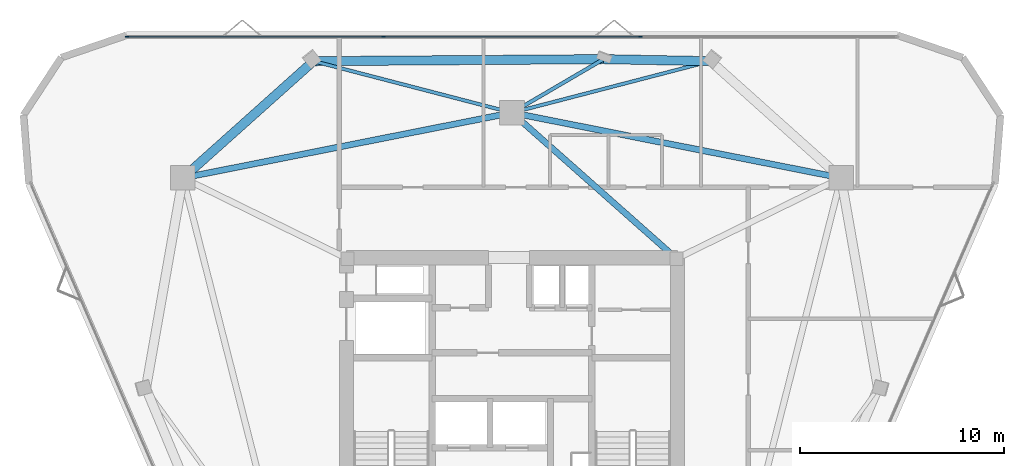
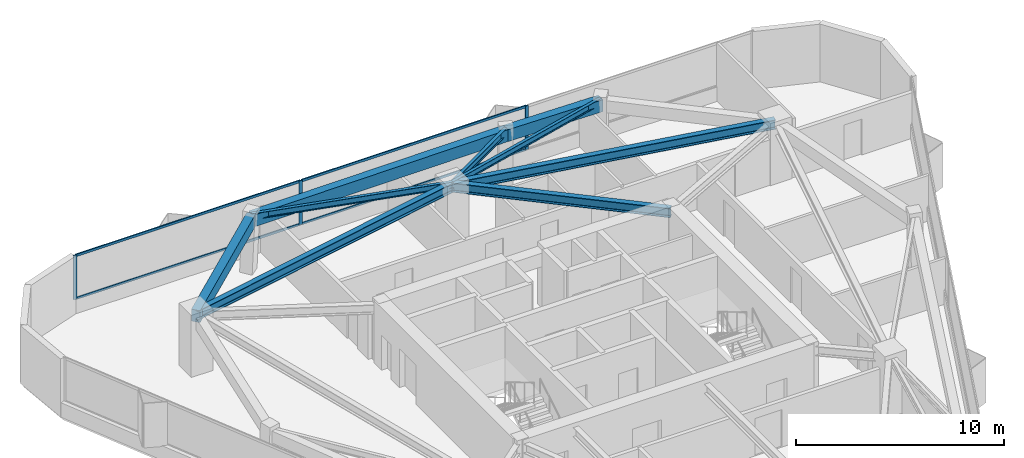
# One storey, part 6 of 11: 9 beams, 7 members, 1 element without a shape of its own.
"""IFC4 building model written with IfcOpenShell, lengths in metres."""

import ifcopenshell
import ifcopenshell.guid

model = None  # the IFC model being written
_history = None  # IfcOwnerHistory: only IFC2X3 demands one
_inside = {}  # id of a spatial element -> (the spatial element, [elements in it])
_under = {}  # id of a project, library or spatial element -> (it, [spatial elements below it])
_declared = {}  # id of a project -> (the project, [libraries it declares])
_typed = {}  # id of a type object -> (the type object, [elements of that type])
_made_of = {}  # id of a material, layer set ... -> (it, [elements and type objects made of it])


def new_model(schema):
    """Start an empty IFC model of exactly this schema.

    Asked for "IFC4X3", IfcOpenShell would pick the latest addendum, in which some entities
    have other attributes; the version numbers below select the first issue.
    IFC2X3 requires an IfcOwnerHistory on every rooted entity: one is made here for all.
    """
    global model, _history
    if schema == "IFC4X3":
        model = ifcopenshell.file(schema_version=(4, 3, 0, 0))
    else:
        model = ifcopenshell.file(schema=schema)
    _inside.clear()
    _under.clear()
    _declared.clear()
    _typed.clear()
    _made_of.clear()
    _history = None
    if model.schema == "IFC2X3":
        org = make("IfcOrganization", Name="unknown")
        user = make(
            "IfcPersonAndOrganization",
            ThePerson=make("IfcPerson", FamilyName="unknown"),
            TheOrganization=org,
        )
        app = make(
            "IfcApplication",
            ApplicationDeveloper=org,
            Version="unknown",
            ApplicationFullName="unknown",
            ApplicationIdentifier="unknown",
        )
        _history = make(
            "IfcOwnerHistory",
            OwningUser=user,
            OwningApplication=app,
            ChangeAction="ADDED",
            CreationDate=0,
        )
    return model


def make(cls, **values):
    """One entity of the class cls with the attributes given. An attribute that is None is left unset."""
    return model.create_entity(
        cls, **{name: value for name, value in values.items() if value is not None}
    )


def rooted(cls, **values):
    """An entity with a GlobalId (a new one), such as an element, a storey or a relation."""
    return make(cls, GlobalId=ifcopenshell.guid.new(), OwnerHistory=_history, **values)


def si_unit(unit_type, name, prefix=None):
    """IfcSIUnit, for example si_unit("LENGTHUNIT", "METRE", prefix="MILLI")."""
    return make("IfcSIUnit", UnitType=unit_type, Prefix=prefix, Name=name)


def assignment(units):
    """IfcUnitAssignment: the units of a project."""
    return None if units is None else make("IfcUnitAssignment", Units=units)


def point(xyz):
    """IfcCartesianPoint."""
    return None if xyz is None else make("IfcCartesianPoint", Coordinates=xyz)


def direction(xyz):
    """IfcDirection."""
    return None if xyz is None else make("IfcDirection", DirectionRatios=xyz)


def frame(location, z_axis=None, x_axis=None):
    """IfcAxis2Placement3D, a coordinate frame: its origin and axes. An axis left out is left unset."""
    return make(
        "IfcAxis2Placement3D",
        Location=point(location),
        Axis=direction(z_axis),
        RefDirection=direction(x_axis),
    )


def frame_2d(location, x_axis=None):
    """IfcAxis2Placement2D, a coordinate frame in the plane: its origin and x axis."""
    return make(
        "IfcAxis2Placement2D", Location=point(location), RefDirection=direction(x_axis)
    )


def origin():
    """The frame at (0, 0, 0) with its axes left unset."""
    return frame((0.0, 0.0, 0.0))


def origin_2d():
    """The frame at (0, 0) in the plane with its x axis left unset."""
    return frame_2d((0.0, 0.0))


def place(relative_to, where):
    """IfcLocalPlacement: puts the frame where relative to a parent placement (None: the world)."""
    return make(
        "IfcLocalPlacement", PlacementRelTo=relative_to, RelativePlacement=where
    )


def context(
    kind, dimensions, precision=None, world=None, true_north=None, identifier=None
):
    """IfcGeometricRepresentationContext, for example the 3D "Model" context."""
    return make(
        "IfcGeometricRepresentationContext",
        ContextIdentifier=identifier,
        ContextType=kind,
        CoordinateSpaceDimension=dimensions,
        Precision=precision,
        WorldCoordinateSystem=world,
        TrueNorth=true_north,
    )


def subcontext(parent, identifier, kind, view, scale=None):
    """IfcGeometricRepresentationSubContext, for example "Body" below "Model"."""
    return make(
        "IfcGeometricRepresentationSubContext",
        ContextIdentifier=identifier,
        ContextType=kind,
        ParentContext=parent,
        TargetScale=scale,
        TargetView=view,
    )


def project(units=None, contexts=None):
    """IfcProject with its units and contexts."""
    return rooted(
        "IfcProject",
        Name="project",
        RepresentationContexts=contexts,
        UnitsInContext=assignment(units),
    )


def spatial(cls, under=None, at=None, **own):
    """A site, building, storey or space (cls), placed at a placement, below another one or the project."""
    s = rooted(cls, ObjectPlacement=at, **own)
    if under is not None:
        _under.setdefault(under.id(), (under, []))[1].append(s)
    return s


def profile(cls, at=None, kind="AREA", **sizes):
    """A parametric profile (cls). Its sizes go by their IFC names, for example OverallWidth=200.0."""
    return make(cls, ProfileType=kind, Position=at, **sizes)


def rectangle(**sizes):
    """IfcRectangleProfileDef."""
    return profile("IfcRectangleProfileDef", **sizes)


def i_section(**sizes):
    """IfcIShapeProfileDef."""
    return profile("IfcIShapeProfileDef", **sizes)


def extrude(swept, where, along, depth):
    """IfcExtrudedAreaSolid: the profile swept, set in the frame where, extruded along a direction by depth."""
    return make(
        "IfcExtrudedAreaSolid",
        SweptArea=swept,
        Position=where,
        ExtrudedDirection=direction(along),
        Depth=depth,
    )


def shape(context_of_items, identifier, shape_type, items):
    """IfcShapeRepresentation: the items that make up one representation, for example the "Body"."""
    return make(
        "IfcShapeRepresentation",
        ContextOfItems=context_of_items,
        RepresentationIdentifier=identifier,
        RepresentationType=shape_type,
        Items=items,
    )


def material(Name=None, Category=None):
    """IfcMaterial."""
    return make("IfcMaterial", Name=Name, Category=Category)


def layer(
    of_material, thickness, ventilated=None, Name=None, Category=None, Priority=None
):
    """IfcMaterialLayer: one layer of a wall or slab, of a material (None: an air gap)."""
    return make(
        "IfcMaterialLayer",
        Material=of_material,
        LayerThickness=thickness,
        IsVentilated=ventilated,
        Name=Name,
        Category=Category,
        Priority=Priority,
    )


def layer_set(layers, Name=None):
    """IfcMaterialLayerSet."""
    return make("IfcMaterialLayerSet", MaterialLayers=layers, LayerSetName=Name)


def material_profile(
    of_material, cross_section, Name=None, Category=None, Priority=None
):
    """IfcMaterialProfile: a cross section and its material."""
    return make(
        "IfcMaterialProfile",
        Name=Name,
        Material=of_material,
        Profile=cross_section,
        Priority=Priority,
        Category=Category,
    )


def profile_set(profiles, Name=None, composite=None):
    """IfcMaterialProfileSet."""
    return make(
        "IfcMaterialProfileSet",
        Name=Name,
        MaterialProfiles=profiles,
        CompositeProfile=composite,
    )


def made_of(thing, what):
    """Note that an element or type object is made of a material, layer set ...; save() writes the relation."""
    if what is not None:
        _made_of.setdefault(what.id(), (what, []))[1].append(thing)
    return thing


def type_object(cls, material=None, **own):
    """A type object (cls), such as IfcWallType, which elements share."""
    return made_of(rooted(cls, **own), material)


def element(
    cls,
    number,
    at=None,
    inside=None,
    cuts=None,
    type_object=None,
    material=None,
    context=None,
    identifier="Body",
    shape_type=None,
    held_by="IfcProductDefinitionShape",
    body=None,
    shapes=None,
    **own,
):
    """One element of the class cls, such as IfcWall. Its Tag is "e" and its number.

    at: its placement. inside: the storey or other place that contains it. cuts: it is an
    opening in that element (IfcRelVoidsElement). A single representation is given by context,
    identifier, shape_type and body (its items); several are given by shapes. held_by: the class
    of the entity that holds the representations. save() writes the other relations.
    """
    e = rooted(cls, Tag="e%d" % number, ObjectPlacement=at, **own)
    if body is not None:
        shapes = [shape(context, identifier, shape_type, body)]
    if shapes is not None:
        e.Representation = make(held_by, Representations=shapes)
    if inside is not None:
        _inside.setdefault(inside.id(), (inside, []))[1].append(e)
    if cuts is not None:
        rooted(
            "IfcRelVoidsElement", RelatingBuildingElement=cuts, RelatedOpeningElement=e
        )
    if type_object is not None:
        _typed.setdefault(type_object.id(), (type_object, []))[1].append(e)
    return made_of(e, material)


def aggregate(whole, parts):
    """IfcRelAggregates: a whole, such as a stair, and the parts it consists of."""
    return rooted("IfcRelAggregates", RelatingObject=whole, RelatedObjects=parts)


def save(model, path):
    """Write the relations noted so far, then the file.

    IfcRelAggregates (storeys below a building ...), IfcRelContainedInSpatialStructure (elements
    in a storey), IfcRelDefinesByType, IfcRelAssociatesMaterial and IfcRelDeclares: one each for
    every whole, place, type object, material and project.
    """
    for whole, parts in _under.values():
        aggregate(whole, parts)
    for where, things in _inside.values():
        rooted(
            "IfcRelContainedInSpatialStructure",
            RelatedElements=things,
            RelatingStructure=where,
        )
    for kind, things in _typed.values():
        rooted("IfcRelDefinesByType", RelatedObjects=things, RelatingType=kind)
    for what, things in _made_of.values():
        rooted("IfcRelAssociatesMaterial", RelatedObjects=things, RelatingMaterial=what)
    for by, libraries in _declared.values():
        rooted("IfcRelDeclares", RelatingContext=by, RelatedDefinitions=libraries)
    model.write(path)


model = new_model("IFC4")

# Units and contexts
model_context = context("Model", 3, precision=1e-05, world=origin(), true_north=direction((0.0, 1.0)))
body_context = subcontext(model_context, "Body", "Model", "MODEL_VIEW")
ifc_project = project(units=[si_unit("LENGTHUNIT", "METRE"), si_unit("AREAUNIT", "SQUARE_METRE"), si_unit("VOLUMEUNIT", "CUBIC_METRE"), si_unit("PLANEANGLEUNIT", "RADIAN"), si_unit("MASSUNIT", "GRAM", prefix="KILO")], contexts=[model_context])

# Site, building, storey
site_placement = place(None, origin())
site = spatial("IfcSite", under=ifc_project, at=site_placement, CompositionType="ELEMENT")
building_placement = place(site_placement, origin())
building = spatial("IfcBuilding", under=site, at=building_placement, Name="Talyreon Biosciences Tower", CompositionType="ELEMENT")
storey_placement = place(building_placement, frame((0.0, 0.0, 238.89990234375)))
storey = spatial("IfcBuildingStorey", under=building, at=storey_placement, Name="L63", CompositionType="ELEMENT", Elevation=238.89990234375)

# Curtain wall, members
ifc_material_1 = material(Name="Thermally broken aluminium and low-E glazing", Category="aluminium")
ifc_layer = layer(ifc_material_1, 0.175048828125)
ifc_layer_set = layer_set([ifc_layer], Name="Thermally broken aluminium and low-E glazing")
curtain_wall_type = type_object("IfcCurtainWallType", Name="CurtainWall_Zone5CompLab", PredefinedType="NOTDEFINED", material=ifc_layer_set)
curtain_wall_placement = place(storey_placement, origin())
curtain_wall = element("IfcCurtainWall", 1, at=curtain_wall_placement, inside=storey, type_object=curtain_wall_type, Name="L63 Unitised Curtain Wall FCW-L63-04", PredefinedType="NOTDEFINED")
ifc_material_2 = material(Name="Anodised thermally broken aluminium", Category="aluminium")
ifc_material_profile_1 = material_profile(ifc_material_2, rectangle(XDim=0.06494140625, YDim=0.179931640625, at=origin_2d()), Name="ALUM MULLION 65x180")
ifc_profile_set_1 = profile_set([ifc_material_profile_1], Name="Anodised thermally broken aluminium")
member_type_1 = type_object("IfcMemberType", Name="CWMullion_65x180", PredefinedType="MULLION", material=ifc_profile_set_1)
member_1_placement = place(storey_placement, frame((47.1630859375, 85.504638671875, 0.81005859375), z_axis=(0.0, 0.0, 1.0), x_axis=(0.0, 1.0, 0.0)))
member_1 = element("IfcMember", 2, at=member_1_placement, type_object=member_type_1, Name="CW6 mullion 1", PredefinedType="MULLION", context=body_context, shape_type="SweptSolid", body=[
    extrude(rectangle(XDim=0.06494140625, YDim=0.179931640625, at=origin_2d()), origin(), (0.0, 0.0, 1.0), 2.590087890625),
])
member_2_placement = place(storey_placement, frame((59.710205078125, 85.504638671875, 0.81005859375), z_axis=(0.0, 0.0, 1.0), x_axis=(0.0, 1.0, 0.0)))
member_2 = element("IfcMember", 3, at=member_2_placement, type_object=member_type_1, Name="CW6 mullion 2", PredefinedType="MULLION", context=body_context, shape_type="SweptSolid", body=[
    extrude(rectangle(XDim=0.06494140625, YDim=0.179931640625, at=origin_2d()), origin(), (0.0, 0.0, 1.0), 2.590087890625),
])
member_3_placement = place(storey_placement, frame((72.289794921875, 85.504638671875, 0.81005859375), z_axis=(0.0, 0.0, 1.0), x_axis=(0.0, 1.0, 0.0)))
member_3 = element("IfcMember", 4, at=member_3_placement, type_object=member_type_1, Name="CW6 mullion 3", PredefinedType="MULLION", context=body_context, shape_type="SweptSolid", body=[
    extrude(rectangle(XDim=0.06494140625, YDim=0.179931640625, at=origin_2d()), origin(), (0.0, 0.0, 1.0), 2.590087890625),
])
ifc_material_profile_2 = material_profile(ifc_material_2, rectangle(XDim=0.06494140625, YDim=0.139892578125, at=origin_2d()), Name="ALUM TRANSOM 65x140")
ifc_profile_set_2 = profile_set([ifc_material_profile_2], Name="Anodised thermally broken aluminium")
member_type_2 = type_object("IfcMemberType", Name="CWTransom_65x140", PredefinedType="USERDEFINED", material=ifc_profile_set_2)
member_4_placement = place(storey_placement, frame((47.19580078125, 85.504638671875, 0.842529296875), z_axis=(1.0, 0.0, 0.0), x_axis=(0.0, 1.0, 0.0)))
member_4 = element("IfcMember", 5, at=member_4_placement, type_object=member_type_2, Name="CW6 transom 1.1", ObjectType="TRANSOM", PredefinedType="USERDEFINED", context=body_context, shape_type="SweptSolid", body=[
    extrude(rectangle(XDim=0.06494140625, YDim=0.139892578125, at=origin_2d()), origin(), (0.0, 0.0, 1.0), 12.48193359375),
])
member_5_placement = place(storey_placement, frame((47.19580078125, 85.504638671875, 3.36767578125), z_axis=(1.0, 0.0, 0.0), x_axis=(0.0, 1.0, 0.0)))
member_5 = element("IfcMember", 6, at=member_5_placement, type_object=member_type_2, Name="CW6 transom 1.2", ObjectType="TRANSOM", PredefinedType="USERDEFINED", context=body_context, shape_type="SweptSolid", body=[
    extrude(rectangle(XDim=0.06494140625, YDim=0.139892578125, at=origin_2d()), origin(), (0.0, 0.0, 1.0), 12.48193359375),
])
member_6_placement = place(storey_placement, frame((59.74267578125, 85.504638671875, 0.842529296875), z_axis=(1.0, 0.0, 0.0), x_axis=(0.0, 1.0, 0.0)))
member_6 = element("IfcMember", 7, at=member_6_placement, type_object=member_type_2, Name="CW6 transom 2.1", ObjectType="TRANSOM", PredefinedType="USERDEFINED", context=body_context, shape_type="SweptSolid", body=[
    extrude(rectangle(XDim=0.06494140625, YDim=0.139892578125, at=origin_2d()), origin(), (0.0, 0.0, 1.0), 12.514404296875),
])
member_7_placement = place(storey_placement, frame((59.74267578125, 85.504638671875, 3.36767578125), z_axis=(1.0, 0.0, 0.0), x_axis=(0.0, 1.0, 0.0)))
member_7 = element("IfcMember", 8, at=member_7_placement, type_object=member_type_2, Name="CW6 transom 2.2", ObjectType="TRANSOM", PredefinedType="USERDEFINED", context=body_context, shape_type="SweptSolid", body=[
    extrude(rectangle(XDim=0.06494140625, YDim=0.139892578125, at=origin_2d()), origin(), (0.0, 0.0, 1.0), 12.514404296875),
])
aggregate(curtain_wall, [member_1, member_2, member_3, member_4, member_5, member_6, member_7])

# Beams
ifc_material_3 = material(Name="Precast concrete C45/55", Category="concrete")
ifc_material_profile_3 = material_profile(ifc_material_3, rectangle(XDim=0.449951171875, YDim=0.699951171875, at=origin_2d()), Name="RCB 450x700")
ifc_profile_set_3 = profile_set([ifc_material_profile_3], Name="Precast concrete C45/55")
beam_type_1 = type_object("IfcBeamType", Name="ExpressedSpandrel_450x700", PredefinedType="SPANDREL", material=ifc_profile_set_3)
beam_1_placement = place(storey_placement, frame((75.714111328125, 84.3125, 3.050048828125), z_axis=(-0.999817838632, 0.019086370875, 0.0), x_axis=(-0.019086370875, -0.999817838632, 0.0)))
element("IfcBeam", 9, at=beam_1_placement, inside=storey, type_object=beam_type_1, Name="L63 Expressed Horizontal Concrete Spandrel 06", PredefinedType="SPANDREL", context=body_context, shape_type="SweptSolid", body=[
    extrude(rectangle(XDim=0.449951171875, YDim=0.699951171875, at=origin_2d()), origin(), (0.0, 0.0, 1.0), 5.231689453125),
])
beam_2_placement = place(storey_placement, frame((70.4833984375, 84.412353515625, 3.050048828125), z_axis=(-0.99997526817, -0.007032997174, 0.0), x_axis=(0.007032997174, -0.99997526817, 0.0)))
element("IfcBeam", 10, at=beam_2_placement, inside=storey, type_object=beam_type_1, Name="L63 Expressed Horizontal Concrete Spandrel 07", PredefinedType="SPANDREL", context=body_context, shape_type="SweptSolid", body=[
    extrude(rectangle(XDim=0.449951171875, YDim=0.699951171875, at=origin_2d()), origin(), (0.0, 0.0, 1.0), 14.19775390625),
])
beam_3_placement = place(storey_placement, frame((56.285888671875, 84.3125, 3.050048828125), z_axis=(-0.745350074174, -0.666673283497, 0.0), x_axis=(0.666673283497, -0.745350074174, 0.0)))
element("IfcBeam", 11, at=beam_3_placement, inside=storey, type_object=beam_type_1, Name="L63 Expressed Horizontal Concrete Spandrel 08", PredefinedType="SPANDREL", context=body_context, shape_type="SweptSolid", body=[
    extrude(rectangle(XDim=0.449951171875, YDim=0.699951171875, at=origin_2d()), origin(), (0.0, 0.0, 1.0), 8.57080078125),
])
ifc_material_4 = material(Name="Steel SM355", Category="steel")
ifc_material_profile_4 = material_profile(ifc_material_4, i_section(OverallWidth=0.300048828125, OverallDepth=0.550048828125, WebThickness=0.014892578125, FlangeThickness=0.029052734375, FilletRadius=0.027099609375, at=origin_2d()), Name="HE550B")
ifc_profile_set_4 = profile_set([ifc_material_profile_4], Name="Steel SM355")
beam_type_2 = type_object("IfcBeamType", Name="SteelBeam_HE550B", PredefinedType="BEAM", material=ifc_profile_set_4)
for number, where, z_axis, x_axis, name in (
    (12, (82.102294921875, 78.5986328125, 3.125), (-0.980933730698, 0.194342522311, 0.0), (-0.194342522311, -0.980933730698, 0.0), "L63 Mega-Ring Girder 3"),
    (13, (66.0, 81.788818359375, 3.125), (-0.980933730698, -0.194342522311, 0.0), (0.194342522311, -0.980933730698, 0.0), "L63 Mega-Ring Girder 4"),
):
    element("IfcBeam", number, at=place(storey_placement, frame(where, z_axis=z_axis, x_axis=x_axis)), inside=storey, type_object=beam_type_2, Name=name, PredefinedType="BEAM", context=body_context, shape_type="SweptSolid", body=[
        extrude(i_section(OverallWidth=0.300048828125, OverallDepth=0.550048828125, WebThickness=0.014892578125, FlangeThickness=0.029052734375, FilletRadius=0.027099609375, at=origin_2d()), origin(), (0.0, 0.0, 1.0), 16.415283203125),
    ])
beam_4_placement = place(storey_placement, frame((74.050048828125, 74.64990234375, 3.125), z_axis=(-0.748178733955, 0.663497235908, 0.0), x_axis=(-0.663497235908, -0.748178733955, 0.0)))
element("IfcBeam", 14, at=beam_4_placement, inside=storey, type_object=beam_type_2, Name="L63 Radial Primary Girder 4", PredefinedType="BEAM", context=body_context, shape_type="SweptSolid", body=[
    extrude(i_section(OverallWidth=0.300048828125, OverallDepth=0.550048828125, WebThickness=0.014892578125, FlangeThickness=0.029052734375, FilletRadius=0.027099609375, at=origin_2d()), origin(), (0.0, 0.0, 1.0), 10.759521484375),
])
ifc_material_profile_5 = material_profile(ifc_material_4, i_section(OverallWidth=0.169921875, OverallDepth=0.360107421875, WebThickness=0.008056640625, FlangeThickness=0.0126953125, FilletRadius=0.01806640625, at=origin_2d()), Name="IPE360")
ifc_profile_set_5 = profile_set([ifc_material_profile_5], Name="Steel SM355")
beam_type_3 = type_object("IfcBeamType", Name="SteelJoist_IPE360", PredefinedType="JOIST", material=ifc_profile_set_5)
for number, where, z_axis, x_axis, name in (
    (15, (66.0, 81.788818359375, 3.22021484375), (0.967870710828, 0.251448378643, 0.0), (-0.251448378643, 0.967870710828, 0.0), "L63 Radial Composite Floor Joist PC-N1"),
    (16, (66.0, 81.788818359375, 3.22021484375), (-0.967870710828, 0.251448378643, 0.0), (-0.251448378643, -0.967870710828, 0.0), "L63 Radial Composite Floor Joist PC-N2"),
):
    element("IfcBeam", number, at=place(storey_placement, frame(where, z_axis=z_axis, x_axis=x_axis)), inside=storey, type_object=beam_type_3, Name=name, PredefinedType="JOIST", context=body_context, shape_type="SweptSolid", body=[
        extrude(i_section(OverallWidth=0.169921875, OverallDepth=0.360107421875, WebThickness=0.008056640625, FlangeThickness=0.0126953125, FilletRadius=0.01806640625, at=origin_2d()), origin(), (0.0, 0.0, 1.0), 10.03662109375),
    ])
ifc_material_profile_6 = material_profile(ifc_material_4, i_section(OverallWidth=0.179931640625, OverallDepth=0.39990234375, WebThickness=0.008544921875, FlangeThickness=0.013427734375, FilletRadius=0.02099609375, at=origin_2d()), Name="IPE400")
ifc_profile_set_6 = profile_set([ifc_material_profile_6], Name="Steel SM355")
beam_type_4 = type_object("IfcBeamType", Name="SteelJoist_IPE400", PredefinedType="JOIST", material=ifc_profile_set_6)
beam_5_placement = place(storey_placement, frame((66.0, 81.788818359375, 3.2001953125), z_axis=(0.863089425002, 0.505051130531, 0.0), x_axis=(-0.505051130531, 0.863089425002, 0.0)))
element("IfcBeam", 17, at=beam_5_placement, inside=storey, type_object=beam_type_4, Name="L63 Radial Composite Floor Joist PL-N", PredefinedType="JOIST", context=body_context, shape_type="SweptSolid", body=[
    extrude(i_section(OverallWidth=0.179931640625, OverallDepth=0.39990234375, WebThickness=0.008544921875, FlangeThickness=0.013427734375, FilletRadius=0.02099609375, at=origin_2d()), origin(), (0.0, 0.0, 1.0), 5.194580078125),
])

save(model, "model.ifc")
